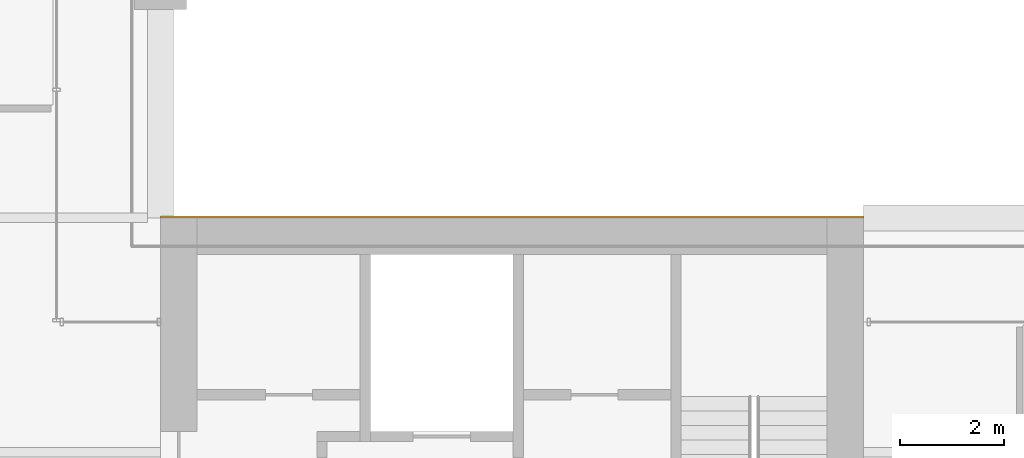
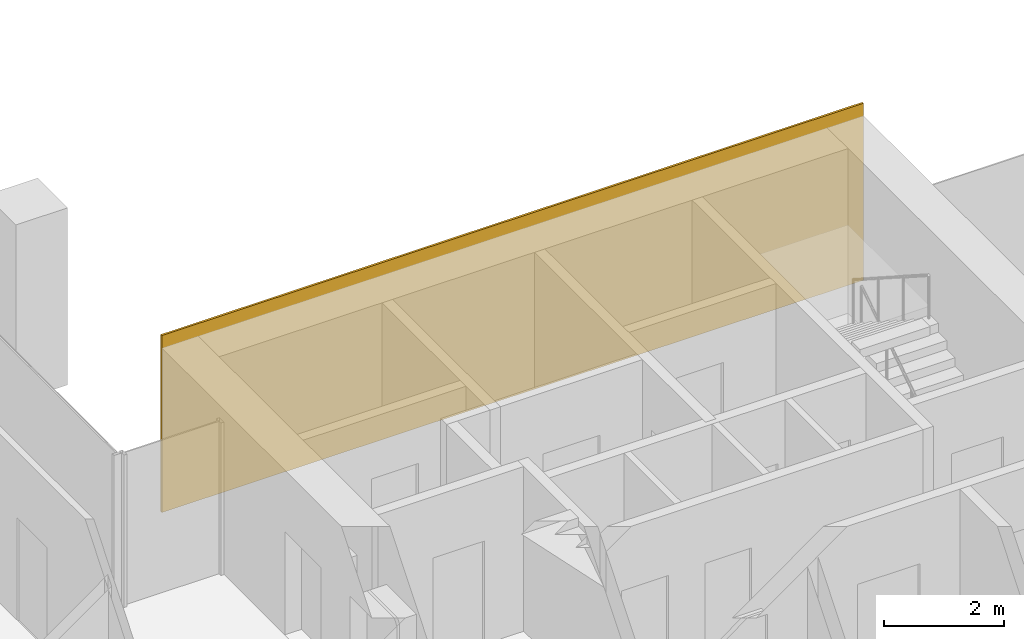
# One storey, part 46 of 46: 1 covering.
"""IFC4 building model written with IfcOpenShell, lengths in metres."""

import ifcopenshell
import ifcopenshell.guid

model = None  # the IFC model being written
_history = None  # IfcOwnerHistory: only IFC2X3 demands one
_inside = {}  # id of a spatial element -> (the spatial element, [elements in it])
_under = {}  # id of a project, library or spatial element -> (it, [spatial elements below it])
_declared = {}  # id of a project -> (the project, [libraries it declares])
_typed = {}  # id of a type object -> (the type object, [elements of that type])
_made_of = {}  # id of a material, layer set ... -> (it, [elements and type objects made of it])


def new_model(schema):
    """Start an empty IFC model of exactly this schema.

    Asked for "IFC4X3", IfcOpenShell would pick the latest addendum, in which some entities
    have other attributes; the version numbers below select the first issue.
    IFC2X3 requires an IfcOwnerHistory on every rooted entity: one is made here for all.
    """
    global model, _history
    if schema == "IFC4X3":
        model = ifcopenshell.file(schema_version=(4, 3, 0, 0))
    else:
        model = ifcopenshell.file(schema=schema)
    _inside.clear()
    _under.clear()
    _declared.clear()
    _typed.clear()
    _made_of.clear()
    _history = None
    if model.schema == "IFC2X3":
        org = make("IfcOrganization", Name="unknown")
        user = make(
            "IfcPersonAndOrganization",
            ThePerson=make("IfcPerson", FamilyName="unknown"),
            TheOrganization=org,
        )
        app = make(
            "IfcApplication",
            ApplicationDeveloper=org,
            Version="unknown",
            ApplicationFullName="unknown",
            ApplicationIdentifier="unknown",
        )
        _history = make(
            "IfcOwnerHistory",
            OwningUser=user,
            OwningApplication=app,
            ChangeAction="ADDED",
            CreationDate=0,
        )
    return model


def make(cls, **values):
    """One entity of the class cls with the attributes given. An attribute that is None is left unset."""
    return model.create_entity(
        cls, **{name: value for name, value in values.items() if value is not None}
    )


def rooted(cls, **values):
    """An entity with a GlobalId (a new one), such as an element, a storey or a relation."""
    return make(cls, GlobalId=ifcopenshell.guid.new(), OwnerHistory=_history, **values)


def si_unit(unit_type, name, prefix=None):
    """IfcSIUnit, for example si_unit("LENGTHUNIT", "METRE", prefix="MILLI")."""
    return make("IfcSIUnit", UnitType=unit_type, Prefix=prefix, Name=name)


def assignment(units):
    """IfcUnitAssignment: the units of a project."""
    return None if units is None else make("IfcUnitAssignment", Units=units)


def point(xyz):
    """IfcCartesianPoint."""
    return None if xyz is None else make("IfcCartesianPoint", Coordinates=xyz)


def direction(xyz):
    """IfcDirection."""
    return None if xyz is None else make("IfcDirection", DirectionRatios=xyz)


def frame(location, z_axis=None, x_axis=None):
    """IfcAxis2Placement3D, a coordinate frame: its origin and axes. An axis left out is left unset."""
    return make(
        "IfcAxis2Placement3D",
        Location=point(location),
        Axis=direction(z_axis),
        RefDirection=direction(x_axis),
    )


def frame_2d(location, x_axis=None):
    """IfcAxis2Placement2D, a coordinate frame in the plane: its origin and x axis."""
    return make(
        "IfcAxis2Placement2D", Location=point(location), RefDirection=direction(x_axis)
    )


def origin():
    """The frame at (0, 0, 0) with its axes left unset."""
    return frame((0.0, 0.0, 0.0))


def origin_2d():
    """The frame at (0, 0) in the plane with its x axis left unset."""
    return frame_2d((0.0, 0.0))


def place(relative_to, where):
    """IfcLocalPlacement: puts the frame where relative to a parent placement (None: the world)."""
    return make(
        "IfcLocalPlacement", PlacementRelTo=relative_to, RelativePlacement=where
    )


def context(
    kind, dimensions, precision=None, world=None, true_north=None, identifier=None
):
    """IfcGeometricRepresentationContext, for example the 3D "Model" context."""
    return make(
        "IfcGeometricRepresentationContext",
        ContextIdentifier=identifier,
        ContextType=kind,
        CoordinateSpaceDimension=dimensions,
        Precision=precision,
        WorldCoordinateSystem=world,
        TrueNorth=true_north,
    )


def subcontext(parent, identifier, kind, view, scale=None):
    """IfcGeometricRepresentationSubContext, for example "Body" below "Model"."""
    return make(
        "IfcGeometricRepresentationSubContext",
        ContextIdentifier=identifier,
        ContextType=kind,
        ParentContext=parent,
        TargetScale=scale,
        TargetView=view,
    )


def project(units=None, contexts=None):
    """IfcProject with its units and contexts."""
    return rooted(
        "IfcProject",
        Name="project",
        RepresentationContexts=contexts,
        UnitsInContext=assignment(units),
    )


def spatial(cls, under=None, at=None, **own):
    """A site, building, storey or space (cls), placed at a placement, below another one or the project."""
    s = rooted(cls, ObjectPlacement=at, **own)
    if under is not None:
        _under.setdefault(under.id(), (under, []))[1].append(s)
    return s


def profile(cls, at=None, kind="AREA", **sizes):
    """A parametric profile (cls). Its sizes go by their IFC names, for example OverallWidth=200.0."""
    return make(cls, ProfileType=kind, Position=at, **sizes)


def rectangle(**sizes):
    """IfcRectangleProfileDef."""
    return profile("IfcRectangleProfileDef", **sizes)


def extrude(swept, where, along, depth):
    """IfcExtrudedAreaSolid: the profile swept, set in the frame where, extruded along a direction by depth."""
    return make(
        "IfcExtrudedAreaSolid",
        SweptArea=swept,
        Position=where,
        ExtrudedDirection=direction(along),
        Depth=depth,
    )


def shape(context_of_items, identifier, shape_type, items):
    """IfcShapeRepresentation: the items that make up one representation, for example the "Body"."""
    return make(
        "IfcShapeRepresentation",
        ContextOfItems=context_of_items,
        RepresentationIdentifier=identifier,
        RepresentationType=shape_type,
        Items=items,
    )


def material(Name=None, Category=None):
    """IfcMaterial."""
    return make("IfcMaterial", Name=Name, Category=Category)


def layer(
    of_material, thickness, ventilated=None, Name=None, Category=None, Priority=None
):
    """IfcMaterialLayer: one layer of a wall or slab, of a material (None: an air gap)."""
    return make(
        "IfcMaterialLayer",
        Material=of_material,
        LayerThickness=thickness,
        IsVentilated=ventilated,
        Name=Name,
        Category=Category,
        Priority=Priority,
    )


def layer_set(layers, Name=None):
    """IfcMaterialLayerSet."""
    return make("IfcMaterialLayerSet", MaterialLayers=layers, LayerSetName=Name)


def made_of(thing, what):
    """Note that an element or type object is made of a material, layer set ...; save() writes the relation."""
    if what is not None:
        _made_of.setdefault(what.id(), (what, []))[1].append(thing)
    return thing


def type_object(cls, material=None, **own):
    """A type object (cls), such as IfcWallType, which elements share."""
    return made_of(rooted(cls, **own), material)


def element(
    cls,
    number,
    at=None,
    inside=None,
    cuts=None,
    type_object=None,
    material=None,
    context=None,
    identifier="Body",
    shape_type=None,
    held_by="IfcProductDefinitionShape",
    body=None,
    shapes=None,
    **own,
):
    """One element of the class cls, such as IfcWall. Its Tag is "e" and its number.

    at: its placement. inside: the storey or other place that contains it. cuts: it is an
    opening in that element (IfcRelVoidsElement). A single representation is given by context,
    identifier, shape_type and body (its items); several are given by shapes. held_by: the class
    of the entity that holds the representations. save() writes the other relations.
    """
    e = rooted(cls, Tag="e%d" % number, ObjectPlacement=at, **own)
    if body is not None:
        shapes = [shape(context, identifier, shape_type, body)]
    if shapes is not None:
        e.Representation = make(held_by, Representations=shapes)
    if inside is not None:
        _inside.setdefault(inside.id(), (inside, []))[1].append(e)
    if cuts is not None:
        rooted(
            "IfcRelVoidsElement", RelatingBuildingElement=cuts, RelatedOpeningElement=e
        )
    if type_object is not None:
        _typed.setdefault(type_object.id(), (type_object, []))[1].append(e)
    return made_of(e, material)


def aggregate(whole, parts):
    """IfcRelAggregates: a whole, such as a stair, and the parts it consists of."""
    return rooted("IfcRelAggregates", RelatingObject=whole, RelatedObjects=parts)


def save(model, path):
    """Write the relations noted so far, then the file.

    IfcRelAggregates (storeys below a building ...), IfcRelContainedInSpatialStructure (elements
    in a storey), IfcRelDefinesByType, IfcRelAssociatesMaterial and IfcRelDeclares: one each for
    every whole, place, type object, material and project.
    """
    for whole, parts in _under.values():
        aggregate(whole, parts)
    for where, things in _inside.values():
        rooted(
            "IfcRelContainedInSpatialStructure",
            RelatedElements=things,
            RelatingStructure=where,
        )
    for kind, things in _typed.values():
        rooted("IfcRelDefinesByType", RelatedObjects=things, RelatingType=kind)
    for what, things in _made_of.values():
        rooted("IfcRelAssociatesMaterial", RelatedObjects=things, RelatingMaterial=what)
    for by, libraries in _declared.values():
        rooted("IfcRelDeclares", RelatingContext=by, RelatedDefinitions=libraries)
    model.write(path)


model = new_model("IFC4")

# Units and contexts
model_context = context("Model", 3, precision=1e-05, world=origin(), true_north=direction((0.0, 1.0)))
body_context = subcontext(model_context, "Body", "Model", "MODEL_VIEW")
ifc_project = project(units=[si_unit("LENGTHUNIT", "METRE"), si_unit("AREAUNIT", "SQUARE_METRE"), si_unit("VOLUMEUNIT", "CUBIC_METRE"), si_unit("PLANEANGLEUNIT", "RADIAN"), si_unit("MASSUNIT", "GRAM", prefix="KILO")], contexts=[model_context])

# Site, building, storey
site_placement = place(None, origin())
site = spatial("IfcSite", under=ifc_project, at=site_placement, CompositionType="ELEMENT")
building_placement = place(site_placement, origin())
building = spatial("IfcBuilding", under=site, at=building_placement, Name="Altepetl Exchange Towers", CompositionType="ELEMENT")
storey_placement = place(building_placement, frame((0.0, 0.0, 106.39990234375)))
storey = spatial("IfcBuildingStorey", under=building, at=storey_placement, Name="L26", CompositionType="ELEMENT", Elevation=106.39990234375)

# Covering
ifc_material = material(Name="Cantera limestone cladding", Category="masonry")
ifc_layer = layer(ifc_material, 0.0400390625)
ifc_layer_set = layer_set([ifc_layer], Name="Cantera limestone cladding")
covering_type = type_object("IfcCoveringType", Name="Stone panel 40 cantera", PredefinedType="CLADDING", material=ifc_layer_set)
covering_placement = place(storey_placement, frame((110.25, 49.52001953125, 0.0), z_axis=(0.0, 0.0, 1.0), x_axis=(-1.0, 0.0, 0.0)))
element("IfcCovering", 1, at=covering_placement, inside=storey, type_object=covering_type, Name="Stone cladding panel", PredefinedType="CLADDING", context=body_context, shape_type="SweptSolid", body=[
    extrude(rectangle(XDim=13.5, YDim=0.0400390625, at=origin_2d()), origin(), (0.0, 0.0, 1.0), 3.60009765625),
])

save(model, "model.ifc")
